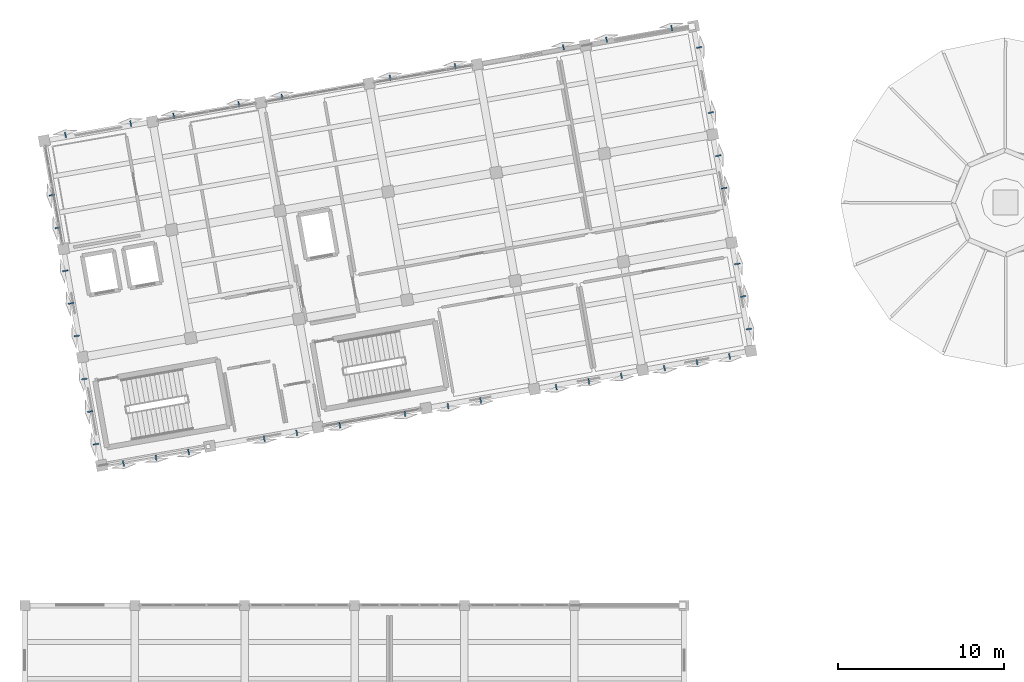
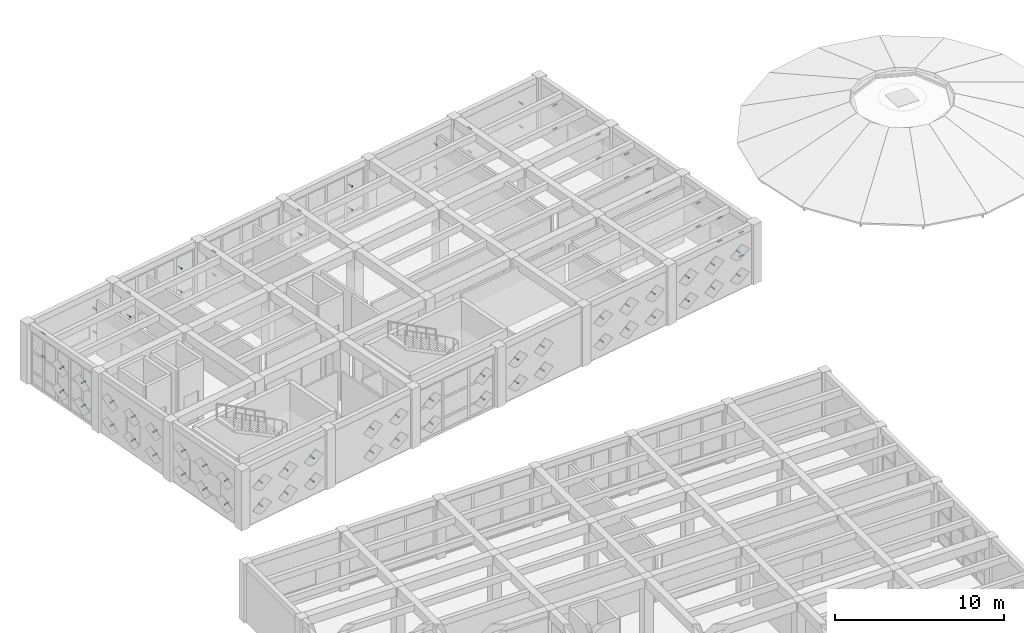
# One storey, part 62 of 67: 80 discrete accessories.
"""IFC4 building model written with IfcOpenShell, lengths in metres."""

from ifc_helpers import new_model, si_unit, direction, frame, origin, origin_2d, place, context, subcontext, project, spatial, hollow_rectangle, extrude, material, type_object, element, save


model = new_model("IFC4")

# Units and contexts
model_context = context("Model", 3, precision=1e-05, world=origin(), true_north=direction((0.0, 1.0)))
body_context = subcontext(model_context, "Body", "Model", "MODEL_VIEW")
ifc_project = project(units=[si_unit("LENGTHUNIT", "METRE"), si_unit("AREAUNIT", "SQUARE_METRE"), si_unit("VOLUMEUNIT", "CUBIC_METRE"), si_unit("PLANEANGLEUNIT", "RADIAN"), si_unit("MASSUNIT", "GRAM", prefix="KILO")], contexts=[model_context])

# Site, building, storey
site_placement = place(None, origin())
site = spatial("IfcSite", under=ifc_project, at=site_placement, CompositionType="ELEMENT")
building_placement = place(site_placement, origin())
building = spatial("IfcBuilding", under=site, at=building_placement, Name="Kharisveld Research Institute", CompositionType="ELEMENT")
storey_placement = place(building_placement, frame((0.0, 0.0, 9.60009765625)))
storey = spatial("IfcBuildingStorey", under=building, at=storey_placement, Name="L02", CompositionType="ELEMENT", Elevation=9.60009765625)

# Discrete accessories
ifc_material = material(Name="Steel S355JR", Category="steel")
discrete_accessory_type = type_object("IfcDiscreteAccessoryType", Name="BKT_ST_260", PredefinedType="BRACKET")
for number, where, z_axis, x_axis, name in (
    (1, (5.031005859375, 36.313720703125, 1.0498046875), (-0.984804615622, -0.173665969752, 0.0), (0.173665969752, -0.984804615622, 0.0), "BKT-SHD:V1:L02:W0:S0C0"),
    (2, (5.031005859375, 36.313720703125, 2.75), (-0.984804615622, -0.173665969752, 0.0), (0.173665969752, -0.984804615622, 0.0), "BKT-SHD:V1:L02:W0:S0C1"),
    (3, (4.68603515625, 38.270263671875, 1.0498046875), (-0.984804615622, -0.173665969752, 0.0), (0.173665969752, -0.984804615622, 0.0), "BKT-SHD:V1:L02:W0:S1C0"),
    (4, (4.68603515625, 38.270263671875, 2.75), (-0.984804615622, -0.173665969752, 0.0), (0.173665969752, -0.984804615622, 0.0), "BKT-SHD:V1:L02:W0:S1C1"),
    (5, (4.341064453125, 40.226806640625, 1.0498046875), (-0.984804615622, -0.173665969752, 0.0), (0.173665969752, -0.984804615622, 0.0), "BKT-SHD:V1:L02:W0:S2C0"),
    (6, (4.341064453125, 40.226806640625, 2.75), (-0.984804615622, -0.173665969752, 0.0), (0.173665969752, -0.984804615622, 0.0), "BKT-SHD:V1:L02:W0:S2C1"),
    (7, (3.885009765625, 42.8134765625, 1.0498046875), (-0.984804615622, -0.173665969752, 0.0), (0.173665969752, -0.984804615622, 0.0), "BKT-SHD:V1:L02:W1:S0C0"),
    (8, (3.885009765625, 42.8134765625, 2.75), (-0.984804615622, -0.173665969752, 0.0), (0.173665969752, -0.984804615622, 0.0), "BKT-SHD:V1:L02:W1:S0C1"),
    (9, (3.5400390625, 44.77001953125, 1.0498046875), (-0.984804615622, -0.173665969752, 0.0), (0.173665969752, -0.984804615622, 0.0), "BKT-SHD:V1:L02:W1:S1C0"),
    (10, (3.5400390625, 44.77001953125, 2.75), (-0.984804615622, -0.173665969752, 0.0), (0.173665969752, -0.984804615622, 0.0), "BKT-SHD:V1:L02:W1:S1C1"),
    (11, (3.195068359375, 46.7265625, 1.0498046875), (-0.984804615622, -0.173665969752, 0.0), (0.173665969752, -0.984804615622, 0.0), "BKT-SHD:V1:L02:W1:S2C0"),
    (12, (3.195068359375, 46.7265625, 2.75), (-0.984804615622, -0.173665969752, 0.0), (0.173665969752, -0.984804615622, 0.0), "BKT-SHD:V1:L02:W1:S2C1"),
):
    element("IfcDiscreteAccessory", number, at=place(storey_placement, frame(where, z_axis=z_axis, x_axis=x_axis)), inside=storey, type_object=discrete_accessory_type, material=ifc_material, Name=name, ObjectType="BRACKET", PredefinedType="BRACKET", context=body_context, shape_type="SweptSolid", body=[
        extrude(hollow_rectangle(XDim=0.080078125, YDim=0.080078125, WallThickness=0.0048828125, at=origin_2d()), origin(), (0.0, 0.0, 1.0), 0.35009765625),
    ])
for number, where, z_axis, x_axis, name in (
    (13, (2.73876953125, 49.313232421875, 1.0498046875), (-0.984783558818, -0.173785333909, 0.0), (0.173785333909, -0.984783558818, 0.0), "BKT-SHD:V1:L02:W2:S0C0"),
    (14, (2.73876953125, 49.313232421875, 2.75), (-0.984783558818, -0.173785333909, 0.0), (0.173785333909, -0.984783558818, 0.0), "BKT-SHD:V1:L02:W2:S0C1"),
    (15, (2.393798828125, 51.269775390625, 1.0498046875), (-0.984783558818, -0.173785333909, 0.0), (0.173785333909, -0.984783558818, 0.0), "BKT-SHD:V1:L02:W2:S1C0"),
    (16, (2.393798828125, 51.269775390625, 2.75), (-0.984783558818, -0.173785333909, 0.0), (0.173785333909, -0.984783558818, 0.0), "BKT-SHD:V1:L02:W2:S1C1"),
):
    element("IfcDiscreteAccessory", number, at=place(storey_placement, frame(where, z_axis=z_axis, x_axis=x_axis)), inside=storey, type_object=discrete_accessory_type, material=ifc_material, Name=name, ObjectType="BRACKET", PredefinedType="BRACKET", context=body_context, shape_type="SweptSolid", body=[
        extrude(hollow_rectangle(XDim=0.080078125, YDim=0.080078125, WallThickness=0.0048828125, at=origin_2d()), origin(), (0.0, 0.0, 1.0), 0.349853515625),
    ])
for number, where, z_axis, x_axis, name in (
    (17, (3.065673828125, 54.67822265625, 1.0498046875), (-0.173665969752, 0.984804615622, 0.0), (-0.984804615622, -0.173665969752, 0.0), "BKT-SHD:V1:L02:N0:S0C0"),
    (18, (3.065673828125, 54.67822265625, 2.75), (-0.173665969752, 0.984804615622, 0.0), (-0.984804615622, -0.173665969752, 0.0), "BKT-SHD:V1:L02:N0:S0C1"),
    (19, (6.978515625, 55.3681640625, 1.0498046875), (-0.173665969752, 0.984804615622, 0.0), (-0.984804615622, -0.173665969752, 0.0), "BKT-SHD:V1:L02:N0:S2C0"),
    (20, (6.978515625, 55.3681640625, 2.75), (-0.173665969752, 0.984804615622, 0.0), (-0.984804615622, -0.173665969752, 0.0), "BKT-SHD:V1:L02:N0:S2C1"),
    (21, (9.565185546875, 55.82421875, 1.0498046875), (-0.172989428414, 0.984923681133, 0.0), (-0.984923681133, -0.172989428414, 0.0), "BKT-SHD:V1:L02:N1:S0C0"),
    (22, (9.565185546875, 55.82421875, 2.75), (-0.172989428414, 0.984923681133, 0.0), (-0.984923681133, -0.172989428414, 0.0), "BKT-SHD:V1:L02:N1:S0C1"),
    (23, (13.478271484375, 56.51416015625, 1.0498046875), (-0.173665969752, 0.984804615622, 0.0), (-0.984804615622, -0.173665969752, 0.0), "BKT-SHD:V1:L02:N1:S2C0"),
    (24, (13.478271484375, 56.51416015625, 2.75), (-0.173665969752, 0.984804615622, 0.0), (-0.984804615622, -0.173665969752, 0.0), "BKT-SHD:V1:L02:N1:S2C1"),
    (25, (16.06494140625, 56.97021484375, 1.0498046875), (-0.173665969752, 0.984804615622, 0.0), (-0.984804615622, -0.173665969752, 0.0), "BKT-SHD:V1:L02:N2:S0C0"),
    (26, (16.06494140625, 56.97021484375, 2.75), (-0.173665969752, 0.984804615622, 0.0), (-0.984804615622, -0.173665969752, 0.0), "BKT-SHD:V1:L02:N2:S0C1"),
    (27, (22.564697265625, 58.116455078125, 1.0498046875), (-0.173665969752, 0.984804615622, 0.0), (-0.984804615622, -0.173665969752, 0.0), "BKT-SHD:V1:L02:N3:S0C0"),
    (28, (22.564697265625, 58.116455078125, 2.75), (-0.173665969752, 0.984804615622, 0.0), (-0.984804615622, -0.173665969752, 0.0), "BKT-SHD:V1:L02:N3:S0C1"),
    (29, (26.477783203125, 58.806396484375, 1.0498046875), (-0.173665969752, 0.984804615622, 0.0), (-0.984804615622, -0.173665969752, 0.0), "BKT-SHD:V1:L02:N3:S2C0"),
    (30, (26.477783203125, 58.806396484375, 2.75), (-0.173665969752, 0.984804615622, 0.0), (-0.984804615622, -0.173665969752, 0.0), "BKT-SHD:V1:L02:N3:S2C1"),
    (31, (32.9775390625, 59.952392578125, 1.0498046875), (-0.173665969752, 0.984804615622, 0.0), (-0.984804615622, -0.173665969752, 0.0), "BKT-SHD:V1:L02:N4:S2C0"),
    (32, (32.9775390625, 59.952392578125, 2.75), (-0.173665969752, 0.984804615622, 0.0), (-0.984804615622, -0.173665969752, 0.0), "BKT-SHD:V1:L02:N4:S2C1"),
    (33, (35.564208984375, 60.408447265625, 1.0498046875), (-0.173665969752, 0.984804615622, 0.0), (-0.984804615622, -0.173665969752, 0.0), "BKT-SHD:V1:L02:N5:S0C0"),
    (34, (35.564208984375, 60.408447265625, 2.75), (-0.173665969752, 0.984804615622, 0.0), (-0.984804615622, -0.173665969752, 0.0), "BKT-SHD:V1:L02:N5:S0C1"),
):
    element("IfcDiscreteAccessory", number, at=place(storey_placement, frame(where, z_axis=z_axis, x_axis=x_axis)), inside=storey, type_object=discrete_accessory_type, material=ifc_material, Name=name, ObjectType="BRACKET", PredefinedType="BRACKET", context=body_context, shape_type="SweptSolid", body=[
        extrude(hollow_rectangle(XDim=0.080078125, YDim=0.080078125, WallThickness=0.0048828125, at=origin_2d()), origin(), (0.0, 0.0, 1.0), 0.35009765625),
    ])
for number, where, z_axis, x_axis, name in (
    (35, (39.477294921875, 61.0986328125, 1.0498046875), (-0.173785333909, 0.984783558818, 0.0), (-0.984783558818, -0.173785333909, 0.0), "BKT-SHD:V1:L02:N5:S2C0"),
    (36, (39.477294921875, 61.0986328125, 2.75), (-0.173785333909, 0.984783558818, 0.0), (-0.984783558818, -0.173785333909, 0.0), "BKT-SHD:V1:L02:N5:S2C1"),
):
    element("IfcDiscreteAccessory", number, at=place(storey_placement, frame(where, z_axis=z_axis, x_axis=x_axis)), inside=storey, type_object=discrete_accessory_type, material=ifc_material, Name=name, ObjectType="BRACKET", PredefinedType="BRACKET", context=body_context, shape_type="SweptSolid", body=[
        extrude(hollow_rectangle(XDim=0.080078125, YDim=0.080078125, WallThickness=0.0048828125, at=origin_2d()), origin(), (0.0, 0.0, 1.0), 0.349853515625),
    ])
for number, where, z_axis, x_axis, name in (
    (37, (40.92919921875, 60.081787109375, 1.0498046875), (0.984804615622, 0.173665969752, 0.0), (-0.173665969752, 0.984804615622, 0.0), "BKT-SHD:V1:L02:E3:S0C0"),
    (38, (40.92919921875, 60.081787109375, 2.75), (0.984804615622, 0.173665969752, 0.0), (-0.173665969752, 0.984804615622, 0.0), "BKT-SHD:V1:L02:E3:S0C1"),
    (39, (41.619140625, 56.1689453125, 1.0498046875), (0.984804615622, 0.173665969752, 0.0), (-0.173665969752, 0.984804615622, 0.0), "BKT-SHD:V1:L02:E3:S2C0"),
    (40, (41.619140625, 56.1689453125, 2.75), (0.984804615622, 0.173665969752, 0.0), (-0.173665969752, 0.984804615622, 0.0), "BKT-SHD:V1:L02:E3:S2C1"),
    (41, (42.0751953125, 53.58203125, 1.0498046875), (0.984804615622, 0.173665969752, 0.0), (-0.173665969752, 0.984804615622, 0.0), "BKT-SHD:V1:L02:E2:S0C0"),
    (42, (42.0751953125, 53.58203125, 2.75), (0.984804615622, 0.173665969752, 0.0), (-0.173665969752, 0.984804615622, 0.0), "BKT-SHD:V1:L02:E2:S0C1"),
    (43, (42.420166015625, 51.625732421875, 1.0498046875), (0.984804615622, 0.173665969752, 0.0), (-0.173665969752, 0.984804615622, 0.0), "BKT-SHD:V1:L02:E2:S1C0"),
    (44, (42.420166015625, 51.625732421875, 2.75), (0.984804615622, 0.173665969752, 0.0), (-0.173665969752, 0.984804615622, 0.0), "BKT-SHD:V1:L02:E2:S1C1"),
    (45, (43.22119140625, 47.08251953125, 1.0498046875), (0.984923681133, 0.172989428414, 0.0), (-0.172989428414, 0.984923681133, 0.0), "BKT-SHD:V1:L02:E1:S0C0"),
    (46, (43.22119140625, 47.08251953125, 2.75), (0.984923681133, 0.172989428414, 0.0), (-0.172989428414, 0.984923681133, 0.0), "BKT-SHD:V1:L02:E1:S0C1"),
    (47, (43.566162109375, 45.1259765625, 1.0498046875), (0.984804615622, 0.173665969752, 0.0), (-0.173665969752, 0.984804615622, 0.0), "BKT-SHD:V1:L02:E1:S1C0"),
    (48, (43.566162109375, 45.1259765625, 2.75), (0.984804615622, 0.173665969752, 0.0), (-0.173665969752, 0.984804615622, 0.0), "BKT-SHD:V1:L02:E1:S1C1"),
    (49, (43.9111328125, 43.16943359375, 1.0498046875), (0.984804615622, 0.173665969752, 0.0), (-0.173665969752, 0.984804615622, 0.0), "BKT-SHD:V1:L02:E1:S2C0"),
    (50, (43.9111328125, 43.16943359375, 2.75), (0.984804615622, 0.173665969752, 0.0), (-0.173665969752, 0.984804615622, 0.0), "BKT-SHD:V1:L02:E1:S2C1"),
    (51, (42.89453125, 41.717529296875, 1.0498046875), (0.173665969752, -0.984804615622, 0.0), (0.984804615622, 0.173665969752, 0.0), "BKT-SHD:V1:L02:S6:S0C0"),
    (52, (42.89453125, 41.717529296875, 2.75), (0.173665969752, -0.984804615622, 0.0), (0.984804615622, 0.173665969752, 0.0), "BKT-SHD:V1:L02:S6:S0C1"),
    (53, (40.93798828125, 41.37255859375, 1.0498046875), (0.173665969752, -0.984804615622, 0.0), (0.984804615622, 0.173665969752, 0.0), "BKT-SHD:V1:L02:S6:S1C0"),
    (54, (40.93798828125, 41.37255859375, 2.75), (0.173665969752, -0.984804615622, 0.0), (0.984804615622, 0.173665969752, 0.0), "BKT-SHD:V1:L02:S6:S1C1"),
    (55, (38.981689453125, 41.027587890625, 1.0498046875), (0.173665969752, -0.984804615622, 0.0), (0.984804615622, 0.173665969752, 0.0), "BKT-SHD:V1:L02:S6:S2C0"),
    (56, (38.981689453125, 41.027587890625, 2.75), (0.173665969752, -0.984804615622, 0.0), (0.984804615622, 0.173665969752, 0.0), "BKT-SHD:V1:L02:S6:S2C1"),
    (57, (36.394775390625, 40.571533203125, 1.0498046875), (0.173665969752, -0.984804615622, 0.0), (0.984804615622, 0.173665969752, 0.0), "BKT-SHD:V1:L02:S5:S0C0"),
    (58, (36.394775390625, 40.571533203125, 2.75), (0.173665969752, -0.984804615622, 0.0), (0.984804615622, 0.173665969752, 0.0), "BKT-SHD:V1:L02:S5:S0C1"),
):
    element("IfcDiscreteAccessory", number, at=place(storey_placement, frame(where, z_axis=z_axis, x_axis=x_axis)), inside=storey, type_object=discrete_accessory_type, material=ifc_material, Name=name, ObjectType="BRACKET", PredefinedType="BRACKET", context=body_context, shape_type="SweptSolid", body=[
        extrude(hollow_rectangle(XDim=0.080078125, YDim=0.080078125, WallThickness=0.0048828125, at=origin_2d()), origin(), (0.0, 0.0, 1.0), 0.35009765625),
    ])
for number, where, z_axis, x_axis, name in (
    (59, (34.4384765625, 40.226318359375, 1.0498046875), (0.173785333909, -0.984783558818, 0.0), (0.984783558818, 0.173785333909, 0.0), "BKT-SHD:V1:L02:S5:S1C0"),
    (60, (34.4384765625, 40.226318359375, 2.75), (0.173785333909, -0.984783558818, 0.0), (0.984783558818, 0.173785333909, 0.0), "BKT-SHD:V1:L02:S5:S1C1"),
    (61, (32.48193359375, 39.88134765625, 1.0498046875), (0.173785333909, -0.984783558818, 0.0), (0.984783558818, 0.173785333909, 0.0), "BKT-SHD:V1:L02:S5:S2C0"),
    (62, (32.48193359375, 39.88134765625, 2.75), (0.173785333909, -0.984783558818, 0.0), (0.984783558818, 0.173785333909, 0.0), "BKT-SHD:V1:L02:S5:S2C1"),
):
    element("IfcDiscreteAccessory", number, at=place(storey_placement, frame(where, z_axis=z_axis, x_axis=x_axis)), inside=storey, type_object=discrete_accessory_type, material=ifc_material, Name=name, ObjectType="BRACKET", PredefinedType="BRACKET", context=body_context, shape_type="SweptSolid", body=[
        extrude(hollow_rectangle(XDim=0.080078125, YDim=0.080078125, WallThickness=0.0048828125, at=origin_2d()), origin(), (0.0, 0.0, 1.0), 0.349853515625),
    ])
for number, where, z_axis, x_axis, name in (
    (63, (27.938720703125, 39.080322265625, 1.0498046875), (0.173665969752, -0.984804615622, 0.0), (0.984804615622, 0.173665969752, 0.0), "BKT-SHD:V1:L02:S4:S1C0"),
    (64, (27.938720703125, 39.080322265625, 2.75), (0.173665969752, -0.984804615622, 0.0), (0.984804615622, 0.173665969752, 0.0), "BKT-SHD:V1:L02:S4:S1C1"),
    (65, (25.982177734375, 38.7353515625, 1.0498046875), (0.173665969752, -0.984804615622, 0.0), (0.984804615622, 0.173665969752, 0.0), "BKT-SHD:V1:L02:S4:S2C0"),
    (66, (25.982177734375, 38.7353515625, 2.75), (0.173665969752, -0.984804615622, 0.0), (0.984804615622, 0.173665969752, 0.0), "BKT-SHD:V1:L02:S4:S2C1"),
    (67, (23.3955078125, 38.279296875, 1.0498046875), (0.172989428414, -0.984923681133, 0.0), (0.984923681133, 0.172989428414, 0.0), "BKT-SHD:V1:L02:S3:S0C0"),
    (68, (23.3955078125, 38.279296875, 2.75), (0.172989428414, -0.984923681133, 0.0), (0.984923681133, 0.172989428414, 0.0), "BKT-SHD:V1:L02:S3:S0C1"),
    (69, (19.482421875, 37.58935546875, 1.0498046875), (0.173665969752, -0.984804615622, 0.0), (0.984804615622, 0.173665969752, 0.0), "BKT-SHD:V1:L02:S3:S2C0"),
    (70, (19.482421875, 37.58935546875, 2.75), (0.173665969752, -0.984804615622, 0.0), (0.984804615622, 0.173665969752, 0.0), "BKT-SHD:V1:L02:S3:S2C1"),
    (71, (16.895751953125, 37.13330078125, 1.0498046875), (0.173665969752, -0.984804615622, 0.0), (0.984804615622, 0.173665969752, 0.0), "BKT-SHD:V1:L02:S2:S0C0"),
    (72, (16.895751953125, 37.13330078125, 2.75), (0.173665969752, -0.984804615622, 0.0), (0.984804615622, 0.173665969752, 0.0), "BKT-SHD:V1:L02:S2:S0C1"),
):
    element("IfcDiscreteAccessory", number, at=place(storey_placement, frame(where, z_axis=z_axis, x_axis=x_axis)), inside=storey, type_object=discrete_accessory_type, material=ifc_material, Name=name, ObjectType="BRACKET", PredefinedType="BRACKET", context=body_context, shape_type="SweptSolid", body=[
        extrude(hollow_rectangle(XDim=0.080078125, YDim=0.080078125, WallThickness=0.0048828125, at=origin_2d()), origin(), (0.0, 0.0, 1.0), 0.35009765625),
    ])
for number, where, z_axis, x_axis, name in (
    (73, (14.939208984375, 36.7880859375, 1.0498046875), (0.173785333909, -0.984783558818, 0.0), (0.984783558818, 0.173785333909, 0.0), "BKT-SHD:V1:L02:S2:S1C0"),
    (74, (14.939208984375, 36.7880859375, 2.75), (0.173785333909, -0.984783558818, 0.0), (0.984783558818, 0.173785333909, 0.0), "BKT-SHD:V1:L02:S2:S1C1"),
):
    element("IfcDiscreteAccessory", number, at=place(storey_placement, frame(where, z_axis=z_axis, x_axis=x_axis)), inside=storey, type_object=discrete_accessory_type, material=ifc_material, Name=name, ObjectType="BRACKET", PredefinedType="BRACKET", context=body_context, shape_type="SweptSolid", body=[
        extrude(hollow_rectangle(XDim=0.080078125, YDim=0.080078125, WallThickness=0.0048828125, at=origin_2d()), origin(), (0.0, 0.0, 1.0), 0.349853515625),
    ])
for number, where, z_axis, x_axis, name in (
    (75, (10.39599609375, 35.987060546875, 1.0498046875), (0.173665969752, -0.984804615622, 0.0), (0.984804615622, 0.173665969752, 0.0), "BKT-SHD:V1:L02:S1:S0C0"),
    (76, (10.39599609375, 35.987060546875, 2.75), (0.173665969752, -0.984804615622, 0.0), (0.984804615622, 0.173665969752, 0.0), "BKT-SHD:V1:L02:S1:S0C1"),
    (77, (8.439453125, 35.64208984375, 1.0498046875), (0.173665969752, -0.984804615622, 0.0), (0.984804615622, 0.173665969752, 0.0), "BKT-SHD:V1:L02:S1:S1C0"),
    (78, (8.439453125, 35.64208984375, 2.75), (0.173665969752, -0.984804615622, 0.0), (0.984804615622, 0.173665969752, 0.0), "BKT-SHD:V1:L02:S1:S1C1"),
    (79, (6.48291015625, 35.297119140625, 1.0498046875), (0.173665969752, -0.984804615622, 0.0), (0.984804615622, 0.173665969752, 0.0), "BKT-SHD:V1:L02:S1:S2C0"),
    (80, (6.48291015625, 35.297119140625, 2.75), (0.173665969752, -0.984804615622, 0.0), (0.984804615622, 0.173665969752, 0.0), "BKT-SHD:V1:L02:S1:S2C1"),
):
    element("IfcDiscreteAccessory", number, at=place(storey_placement, frame(where, z_axis=z_axis, x_axis=x_axis)), inside=storey, type_object=discrete_accessory_type, material=ifc_material, Name=name, ObjectType="BRACKET", PredefinedType="BRACKET", context=body_context, shape_type="SweptSolid", body=[
        extrude(hollow_rectangle(XDim=0.080078125, YDim=0.080078125, WallThickness=0.0048828125, at=origin_2d()), origin(), (0.0, 0.0, 1.0), 0.35009765625),
    ])

save(model, "model.ifc")
